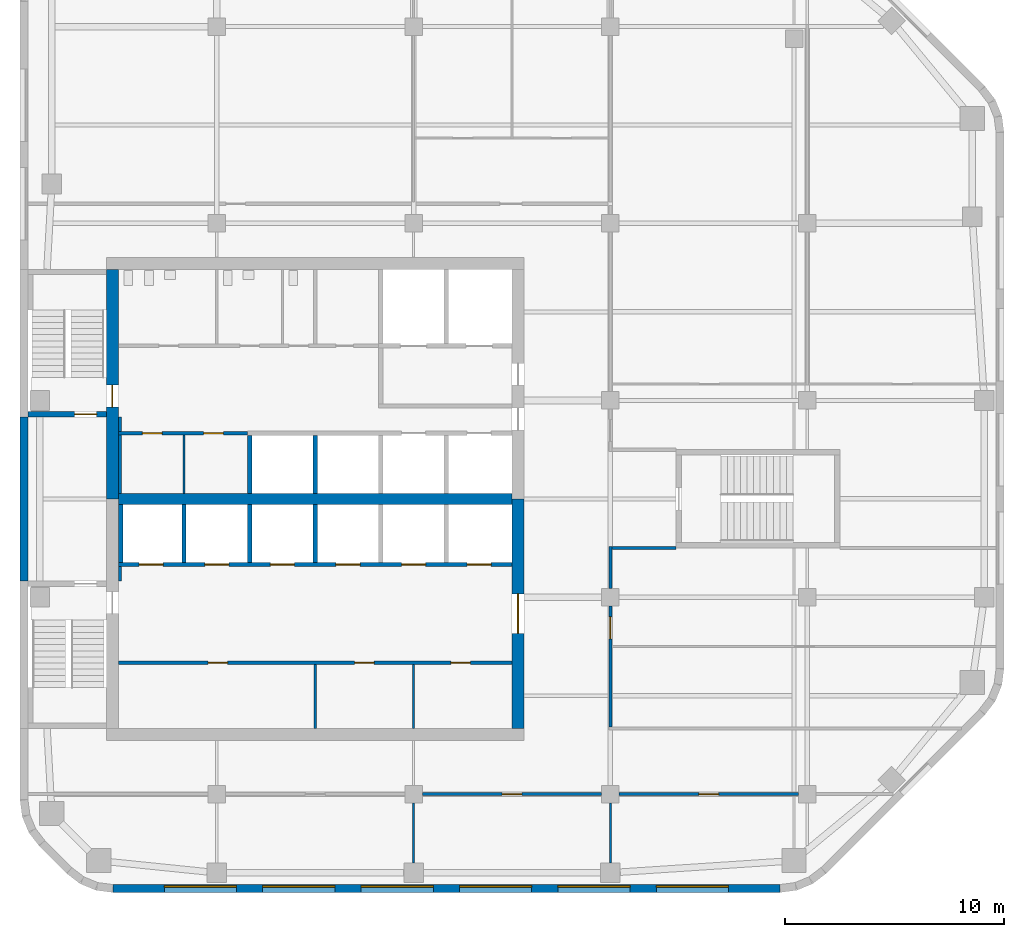
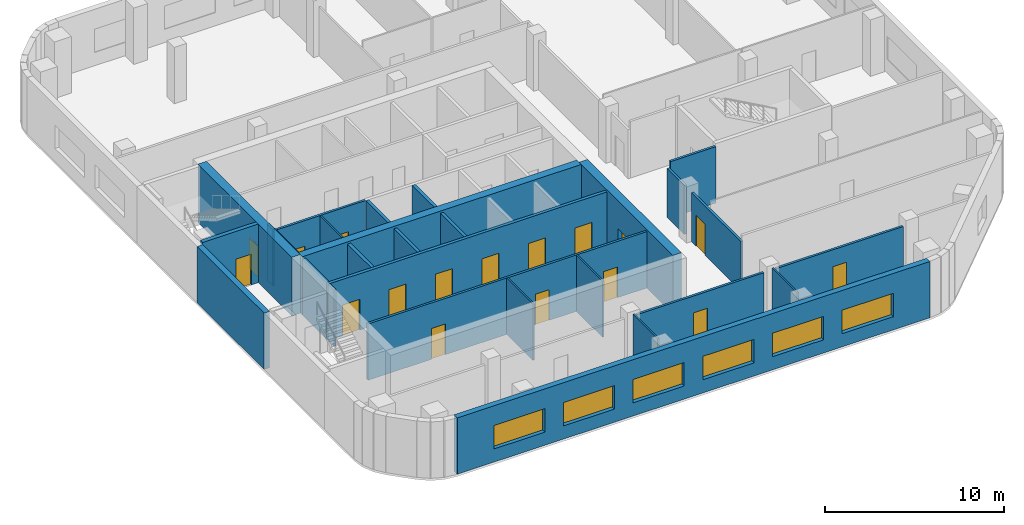
# One storey, part 3 of 8: 28 walls, 17 doors, 6 windows, 23 openings.
"""IFC4 building model written with IfcOpenShell, lengths in metres."""

from ifc_helpers import new_model, si_unit, direction, frame, frame_2d, origin, place, context, subcontext, project, spatial, rectangle, extrude, material, layer, layer_set, type_object, element, fill, save


model = new_model("IFC4")

# Units and contexts
model_context = context("Model", 3, precision=1e-05, world=origin(), true_north=direction((0.0, 1.0)))
body_context = subcontext(model_context, "Body", "Model", "MODEL_VIEW")
ifc_project = project(units=[si_unit("LENGTHUNIT", "METRE"), si_unit("AREAUNIT", "SQUARE_METRE"), si_unit("VOLUMEUNIT", "CUBIC_METRE"), si_unit("PLANEANGLEUNIT", "RADIAN"), si_unit("MASSUNIT", "GRAM", prefix="KILO")], contexts=[model_context])

# Site, building, storey
site_placement = place(None, origin())
site = spatial("IfcSite", under=ifc_project, at=site_placement, CompositionType="ELEMENT")
building_placement = place(site_placement, origin())
building = spatial("IfcBuilding", under=site, at=building_placement, Name="Cinnabar Reach Civic Tower", CompositionType="ELEMENT")
storey_placement = place(building_placement, frame((0.0, 0.0, 206.0)))
storey = spatial("IfcBuildingStorey", under=building, at=storey_placement, Name="L49", CompositionType="ELEMENT", Elevation=206.0)

# Wall, openings, windows
ifc_material_1 = material(Name="Facing brick with insulated backing", Category="masonry")
ifc_layer_1 = layer(ifc_material_1, 0.36)
ifc_layer_set_1 = layer_set([ifc_layer_1], Name="Brick pier and spandrel wall")
wall_type_1 = type_object("IfcWallType", Name="Brick pier and spandrel wall", PredefinedType="STANDARD", material=ifc_layer_set_1)
wall_1_placement = place(storey_placement, frame((4.2426, 13.68, 0.0), z_axis=(0.0, 0.0, 1.0), x_axis=(1.0, 0.0, 0.0)))
wall_1 = element("IfcWall", 1, at=wall_1_placement, inside=storey, type_object=wall_type_1, Name="Brick facade wall", PredefinedType="STANDARD", context=body_context, shape_type="SweptSolid", body=[
    extrude(rectangle(XDim=30.5148, YDim=0.36, at=frame_2d((15.2574, 0.0))), origin(), (0.0, 0.0, 1.0), 3.85),
])
opening_1_placement = place(wall_1_placement, frame((2.3574, 0.0, 0.9)))
opening_1 = element("IfcOpeningElement", 2, at=opening_1_placement, cuts=wall_1, Name="Opening W2000", PredefinedType="OPENING", context=body_context, shape_type="SweptSolid", body=[
    extrude(rectangle(XDim=3.3, YDim=1.6, at=frame_2d((1.65, 0.8))), frame((0.0, 0.19, 0.0), z_axis=(0.0, -1.0, 0.0), x_axis=(1.0, 0.0, 0.0)), (0.0, 0.0, 1.0), 0.38),
])
opening_2_placement = place(wall_1_placement, frame((6.8574, 0.0, 0.9)))
opening_2 = element("IfcOpeningElement", 3, at=opening_2_placement, cuts=wall_1, Name="Opening W2001", PredefinedType="OPENING", context=body_context, shape_type="SweptSolid", body=[
    extrude(rectangle(XDim=3.3, YDim=1.6, at=frame_2d((1.65, 0.8))), frame((0.0, 0.19, 0.0), z_axis=(0.0, -1.0, 0.0), x_axis=(1.0, 0.0, 0.0)), (0.0, 0.0, 1.0), 0.38),
])
opening_3_placement = place(wall_1_placement, frame((11.3574, 0.0, 0.9)))
opening_3 = element("IfcOpeningElement", 4, at=opening_3_placement, cuts=wall_1, Name="Opening W2002", PredefinedType="OPENING", context=body_context, shape_type="SweptSolid", body=[
    extrude(rectangle(XDim=3.3, YDim=1.6, at=frame_2d((1.65, 0.8))), frame((0.0, 0.19, 0.0), z_axis=(0.0, -1.0, 0.0), x_axis=(1.0, 0.0, 0.0)), (0.0, 0.0, 1.0), 0.38),
])
opening_4_placement = place(wall_1_placement, frame((15.8574, 0.0, 0.9)))
opening_4 = element("IfcOpeningElement", 5, at=opening_4_placement, cuts=wall_1, Name="Opening W2003", PredefinedType="OPENING", context=body_context, shape_type="SweptSolid", body=[
    extrude(rectangle(XDim=3.3, YDim=1.6, at=frame_2d((1.65, 0.8))), frame((0.0, 0.19, 0.0), z_axis=(0.0, -1.0, 0.0), x_axis=(1.0, 0.0, 0.0)), (0.0, 0.0, 1.0), 0.38),
])
opening_5_placement = place(wall_1_placement, frame((20.3574, 0.0, 0.9)))
opening_5 = element("IfcOpeningElement", 6, at=opening_5_placement, cuts=wall_1, Name="Opening W2004", PredefinedType="OPENING", context=body_context, shape_type="SweptSolid", body=[
    extrude(rectangle(XDim=3.3, YDim=1.6, at=frame_2d((1.65, 0.8))), frame((0.0, 0.19, 0.0), z_axis=(0.0, -1.0, 0.0), x_axis=(1.0, 0.0, 0.0)), (0.0, 0.0, 1.0), 0.38),
])
opening_6_placement = place(wall_1_placement, frame((24.8574, 0.0, 0.9)))
opening_6 = element("IfcOpeningElement", 7, at=opening_6_placement, cuts=wall_1, Name="Opening W2005", PredefinedType="OPENING", context=body_context, shape_type="SweptSolid", body=[
    extrude(rectangle(XDim=3.3, YDim=1.6, at=frame_2d((1.65, 0.8))), frame((0.0, 0.19, 0.0), z_axis=(0.0, -1.0, 0.0), x_axis=(1.0, 0.0, 0.0)), (0.0, 0.0, 1.0), 0.38),
])
ifc_material_2 = material(Name="Clear double glazing in aluminium frame", Category="aluminium")
window_type = type_object("IfcWindowType", Name="Deep-set window A", PartitioningType="SINGLE_PANEL", PredefinedType="WINDOW", material=ifc_material_2)
window_1_placement = place(opening_1_placement, origin())
window_1 = element("IfcWindow", 8, at=window_1_placement, inside=storey, type_object=window_type, Name="Window south face", OverallHeight=1.6, OverallWidth=3.3, PartitioningType="SINGLE_PANEL", PredefinedType="WINDOW", context=body_context, shape_type="SweptSolid", body=[
    extrude(rectangle(XDim=3.3, YDim=1.6, at=frame_2d((1.65, 0.8))), frame((0.0, 0.13, 0.0), z_axis=(0.0, -1.0, 0.0), x_axis=(1.0, 0.0, 0.0)), (0.0, 0.0, 1.0), 0.06),
])
fill(opening_1, window_1)
window_2_placement = place(opening_2_placement, origin())
window_2 = element("IfcWindow", 9, at=window_2_placement, inside=storey, type_object=window_type, Name="Window south face", OverallHeight=1.6, OverallWidth=3.3, PartitioningType="SINGLE_PANEL", PredefinedType="WINDOW", context=body_context, shape_type="SweptSolid", body=[
    extrude(rectangle(XDim=3.3, YDim=1.6, at=frame_2d((1.65, 0.8))), frame((0.0, 0.13, 0.0), z_axis=(0.0, -1.0, 0.0), x_axis=(1.0, 0.0, 0.0)), (0.0, 0.0, 1.0), 0.06),
])
fill(opening_2, window_2)
window_3_placement = place(opening_3_placement, origin())
window_3 = element("IfcWindow", 10, at=window_3_placement, inside=storey, type_object=window_type, Name="Window south face", OverallHeight=1.6, OverallWidth=3.3, PartitioningType="SINGLE_PANEL", PredefinedType="WINDOW", context=body_context, shape_type="SweptSolid", body=[
    extrude(rectangle(XDim=3.3, YDim=1.6, at=frame_2d((1.65, 0.8))), frame((0.0, 0.13, 0.0), z_axis=(0.0, -1.0, 0.0), x_axis=(1.0, 0.0, 0.0)), (0.0, 0.0, 1.0), 0.06),
])
fill(opening_3, window_3)
window_4_placement = place(opening_4_placement, origin())
window_4 = element("IfcWindow", 11, at=window_4_placement, inside=storey, type_object=window_type, Name="Window south face", OverallHeight=1.6, OverallWidth=3.3, PartitioningType="SINGLE_PANEL", PredefinedType="WINDOW", context=body_context, shape_type="SweptSolid", body=[
    extrude(rectangle(XDim=3.3, YDim=1.6, at=frame_2d((1.65, 0.8))), frame((0.0, 0.13, 0.0), z_axis=(0.0, -1.0, 0.0), x_axis=(1.0, 0.0, 0.0)), (0.0, 0.0, 1.0), 0.06),
])
fill(opening_4, window_4)
window_5_placement = place(opening_5_placement, origin())
window_5 = element("IfcWindow", 12, at=window_5_placement, inside=storey, type_object=window_type, Name="Window south face", OverallHeight=1.6, OverallWidth=3.3, PartitioningType="SINGLE_PANEL", PredefinedType="WINDOW", context=body_context, shape_type="SweptSolid", body=[
    extrude(rectangle(XDim=3.3, YDim=1.6, at=frame_2d((1.65, 0.8))), frame((0.0, 0.13, 0.0), z_axis=(0.0, -1.0, 0.0), x_axis=(1.0, 0.0, 0.0)), (0.0, 0.0, 1.0), 0.06),
])
fill(opening_5, window_5)
window_6_placement = place(opening_6_placement, origin())
window_6 = element("IfcWindow", 13, at=window_6_placement, inside=storey, type_object=window_type, Name="Window south face", OverallHeight=1.6, OverallWidth=3.3, PartitioningType="SINGLE_PANEL", PredefinedType="WINDOW", context=body_context, shape_type="SweptSolid", body=[
    extrude(rectangle(XDim=3.3, YDim=1.6, at=frame_2d((1.65, 0.8))), frame((0.0, 0.13, 0.0), z_axis=(0.0, -1.0, 0.0), x_axis=(1.0, 0.0, 0.0)), (0.0, 0.0, 1.0), 0.06),
])
fill(opening_6, window_6)

# Walls
wall_2_placement = place(storey_placement, frame((0.18, 35.25, 0.0), z_axis=(0.0, 0.0, 1.0), x_axis=(0.0, -1.0, 0.0)))
element("IfcWall", 14, at=wall_2_placement, inside=storey, type_object=wall_type_1, Name="Brick facade wall", PredefinedType="STANDARD", context=body_context, shape_type="SweptSolid", body=[
    extrude(rectangle(XDim=7.5, YDim=0.36, at=frame_2d((3.75, 0.0))), origin(), (0.0, 0.0, 1.0), 3.85),
])
ifc_material_3 = material(Name="Concrete C60", Category="concrete")
ifc_layer_2 = layer(ifc_material_3, 0.5)
ifc_layer_set_2 = layer_set([ifc_layer_2], Name="Core wall 500 EI 180")
wall_type_2 = type_object("IfcWallType", Name="Core wall 500 EI 180", PredefinedType="SOLIDWALL", material=ifc_layer_set_2)
wall_3_placement = place(storey_placement, frame((4.5, 31.5, 0.0), z_axis=(0.0, 0.0, 1.0), x_axis=(1.0, 0.0, 0.0)))
element("IfcWall", 15, at=wall_3_placement, inside=storey, type_object=wall_type_2, Name="Core spine wall T1 L49", PredefinedType="SOLIDWALL", context=body_context, shape_type="SweptSolid", body=[
    extrude(rectangle(XDim=18.0, YDim=0.5, at=frame_2d((9.0, 0.0))), origin(), (0.0, 0.0, 1.0), 4.0),
])

# Wall, opening, door
ifc_layer_3 = layer(ifc_material_3, 0.55)
ifc_layer_set_3 = layer_set([ifc_layer_3], Name="Core wall 550 EI 180")
wall_type_3 = type_object("IfcWallType", Name="Core wall 550 EI 180", PredefinedType="SOLIDWALL", material=ifc_layer_set_3)
wall_4_placement = place(storey_placement, frame((22.775, 21.0, 0.0), z_axis=(0.0, 0.0, 1.0), x_axis=(0.0, 1.0, 0.0)))
wall_4 = element("IfcWall", 16, at=wall_4_placement, inside=storey, type_object=wall_type_3, Name="Core wall T1 L49 E", PredefinedType="SOLIDWALL", context=body_context, shape_type="SweptSolid", body=[
    extrude(rectangle(XDim=10.5, YDim=0.55, at=frame_2d((5.25, 0.0))), origin(), (0.0, 0.0, 1.0), 4.0),
])
opening_7_placement = place(wall_4_placement, frame((4.35, 0.0, 0.0)))
opening_7 = element("IfcOpeningElement", 17, at=opening_7_placement, cuts=wall_4, Name="Opening D5007", PredefinedType="OPENING", context=body_context, shape_type="SweptSolid", body=[
    extrude(rectangle(XDim=1.8, YDim=2.1, at=frame_2d((0.9, 1.05))), frame((0.0, 0.285, 0.0), z_axis=(0.0, -1.0, 0.0), x_axis=(1.0, 0.0, 0.0)), (0.0, 0.0, 1.0), 0.57),
])
ifc_material_4 = material(Name="Timber door leaf in steel frame", Category="steel")
door_type_1 = type_object("IfcDoorType", Name="Double swing door 1800 x 2100 T1", OperationType="DOUBLE_DOOR_DOUBLE_SWING", PredefinedType="DOOR", material=ifc_material_4)
door_1_placement = place(opening_7_placement, origin())
door_1 = element("IfcDoor", 18, at=door_1_placement, inside=storey, type_object=door_type_1, Name="Door D5007", OperationType="DOUBLE_DOOR_DOUBLE_SWING", OverallHeight=2.1, OverallWidth=1.8, PredefinedType="DOOR", context=body_context, shape_type="SweptSolid", body=[
    extrude(rectangle(XDim=1.8, YDim=2.1, at=frame_2d((0.9, 1.05))), frame((0.0, 0.025, 0.0), z_axis=(0.0, -1.0, 0.0), x_axis=(1.0, 0.0, 0.0)), (0.0, 0.0, 1.0), 0.05),
])
fill(opening_7, door_1)

wall_5_placement = place(storey_placement, frame((4.225, 42.0, 0.0), z_axis=(0.0, 0.0, 1.0), x_axis=(0.0, -1.0, 0.0)))
wall_5 = element("IfcWall", 19, at=wall_5_placement, inside=storey, type_object=wall_type_3, Name="Core wall T1 L49 W", PredefinedType="SOLIDWALL", context=body_context, shape_type="SweptSolid", body=[
    extrude(rectangle(XDim=10.5, YDim=0.55, at=frame_2d((5.25, 0.0))), origin(), (0.0, 0.0, 1.0), 4.0),
])
opening_8_placement = place(wall_5_placement, frame((5.3, 0.0, 0.0)))
opening_8 = element("IfcOpeningElement", 20, at=opening_8_placement, cuts=wall_5, Name="Opening D4995", PredefinedType="OPENING", context=body_context, shape_type="SweptSolid", body=[
    extrude(rectangle(XDim=1.0, YDim=2.1, at=frame_2d((0.5, 1.05))), frame((0.0, 0.285, 0.0), z_axis=(0.0, -1.0, 0.0), x_axis=(1.0, 0.0, 0.0)), (0.0, 0.0, 1.0), 0.57),
])
door_type_2 = type_object("IfcDoorType", Name="Stair door 1000 x 2100 T1", OperationType="SINGLE_SWING_LEFT", PredefinedType="DOOR", material=ifc_material_4)
door_2_placement = place(opening_8_placement, frame((1.0, 0.0, 0.0), z_axis=(0.0, 0.0, 1.0), x_axis=(-1.0, 0.0, 0.0)))
door_2 = element("IfcDoor", 21, at=door_2_placement, inside=storey, type_object=door_type_2, Name="Door D4995", OperationType="SINGLE_SWING_LEFT", OverallHeight=2.1, OverallWidth=1.0, PredefinedType="DOOR", context=body_context, shape_type="SweptSolid", body=[
    extrude(rectangle(XDim=1.0, YDim=2.1, at=frame_2d((0.5, 1.05))), frame((0.0, 0.025, 0.0), z_axis=(0.0, -1.0, 0.0), x_axis=(1.0, 0.0, 0.0)), (0.0, 0.0, 1.0), 0.05),
])
fill(opening_8, door_2)

ifc_material_5 = material(Name="Gypsum board on steel studs, double layer", Category="steel")
ifc_layer_4 = layer(ifc_material_5, 0.15)
ifc_layer_set_4 = layer_set([ifc_layer_4], Name="Corridor wall 150 T1")
wall_type_4 = type_object("IfcWallType", Name="Corridor wall 150 T1", PredefinedType="PARTITIONING", material=ifc_layer_set_4)
wall_6_placement = place(storey_placement, frame((27.4, 18.0, 0.0), z_axis=(0.0, 0.0, 1.0), x_axis=(1.0, 0.0, 0.0)))
wall_6 = element("IfcWall", 22, at=wall_6_placement, inside=storey, type_object=wall_type_4, Name="Corridor wall 19", PredefinedType="PARTITIONING", context=body_context, shape_type="SweptSolid", body=[
    extrude(rectangle(XDim=8.2, YDim=0.15, at=frame_2d((4.1, 0.0))), origin(), (0.0, 0.0, 1.0), 3.254),
])
opening_9_placement = place(wall_6_placement, frame((3.65, 0.0, 0.0)))
opening_9 = element("IfcOpeningElement", 23, at=opening_9_placement, cuts=wall_6, Name="Opening D5027", PredefinedType="OPENING", context=body_context, shape_type="SweptSolid", body=[
    extrude(rectangle(XDim=0.9, YDim=2.1, at=frame_2d((0.45, 1.05))), frame((0.0, 0.085, 0.0), z_axis=(0.0, -1.0, 0.0), x_axis=(1.0, 0.0, 0.0)), (0.0, 0.0, 1.0), 0.17),
])
door_type_3 = type_object("IfcDoorType", Name="Single swing door 900 x 2100 corridor T1", OperationType="SINGLE_SWING_LEFT", PredefinedType="DOOR", material=ifc_material_4)
door_3_placement = place(opening_9_placement, frame((0.9, 0.0, 0.0), z_axis=(0.0, 0.0, 1.0), x_axis=(-1.0, 0.0, 0.0)))
door_3 = element("IfcDoor", 24, at=door_3_placement, inside=storey, type_object=door_type_3, Name="Door D5027", OperationType="SINGLE_SWING_RIGHT", OverallHeight=2.1, OverallWidth=0.9, PredefinedType="DOOR", context=body_context, shape_type="SweptSolid", body=[
    extrude(rectangle(XDim=0.9, YDim=2.1, at=frame_2d((0.45, 1.05))), frame((0.0, 0.025, 0.0), z_axis=(0.0, -1.0, 0.0), x_axis=(1.0, 0.0, 0.0)), (0.0, 0.0, 1.0), 0.05),
])
fill(opening_9, door_3)

wall_7_placement = place(storey_placement, frame((18.4, 18.0, 0.0), z_axis=(0.0, 0.0, 1.0), x_axis=(1.0, 0.0, 0.0)))
wall_7 = element("IfcWall", 25, at=wall_7_placement, inside=storey, type_object=wall_type_4, Name="Corridor wall 20", PredefinedType="PARTITIONING", context=body_context, shape_type="SweptSolid", body=[
    extrude(rectangle(XDim=8.2, YDim=0.15, at=frame_2d((4.1, 0.0))), origin(), (0.0, 0.0, 1.0), 3.254),
])
opening_10_placement = place(wall_7_placement, frame((3.65, 0.0, 0.0)))
opening_10 = element("IfcOpeningElement", 26, at=opening_10_placement, cuts=wall_7, Name="Opening D5026", PredefinedType="OPENING", context=body_context, shape_type="SweptSolid", body=[
    extrude(rectangle(XDim=0.9, YDim=2.1, at=frame_2d((0.45, 1.05))), frame((0.0, 0.085, 0.0), z_axis=(0.0, -1.0, 0.0), x_axis=(1.0, 0.0, 0.0)), (0.0, 0.0, 1.0), 0.17),
])
door_4_placement = place(opening_10_placement, frame((0.9, 0.0, 0.0), z_axis=(0.0, 0.0, 1.0), x_axis=(-1.0, 0.0, 0.0)))
door_4 = element("IfcDoor", 27, at=door_4_placement, inside=storey, type_object=door_type_3, Name="Door D5026", OperationType="SINGLE_SWING_RIGHT", OverallHeight=2.1, OverallWidth=0.9, PredefinedType="DOOR", context=body_context, shape_type="SweptSolid", body=[
    extrude(rectangle(XDim=0.9, YDim=2.1, at=frame_2d((0.45, 1.05))), frame((0.0, 0.025, 0.0), z_axis=(0.0, -1.0, 0.0), x_axis=(1.0, 0.0, 0.0)), (0.0, 0.0, 1.0), 0.05),
])
fill(opening_10, door_4)

# Wall, openings, doors
wall_8_placement = place(storey_placement, frame((4.5, 24.0, 0.0), z_axis=(0.0, 0.0, 1.0), x_axis=(1.0, 0.0, 0.0)))
wall_8 = element("IfcWall", 28, at=wall_8_placement, inside=storey, type_object=wall_type_4, Name="Corridor wall 24", PredefinedType="PARTITIONING", context=body_context, shape_type="SweptSolid", body=[
    extrude(rectangle(XDim=18.0, YDim=0.15, at=frame_2d((9.0, 0.0))), origin(), (0.0, 0.0, 1.0), 3.85),
])
opening_11_placement = place(wall_8_placement, frame((4.1, 0.0, 0.0)))
opening_11 = element("IfcOpeningElement", 29, at=opening_11_placement, cuts=wall_8, Name="Opening D5011", PredefinedType="OPENING", context=body_context, shape_type="SweptSolid", body=[
    extrude(rectangle(XDim=0.9, YDim=2.1, at=frame_2d((0.45, 1.05))), frame((0.0, 0.085, 0.0), z_axis=(0.0, -1.0, 0.0), x_axis=(1.0, 0.0, 0.0)), (0.0, 0.0, 1.0), 0.17),
])
opening_12_placement = place(wall_8_placement, frame((10.8, 0.0, 0.0)))
opening_12 = element("IfcOpeningElement", 30, at=opening_12_placement, cuts=wall_8, Name="Opening D5012", PredefinedType="OPENING", context=body_context, shape_type="SweptSolid", body=[
    extrude(rectangle(XDim=0.9, YDim=2.1, at=frame_2d((0.45, 1.05))), frame((0.0, 0.085, 0.0), z_axis=(0.0, -1.0, 0.0), x_axis=(1.0, 0.0, 0.0)), (0.0, 0.0, 1.0), 0.17),
])
opening_13_placement = place(wall_8_placement, frame((15.2, 0.0, 0.0)))
opening_13 = element("IfcOpeningElement", 31, at=opening_13_placement, cuts=wall_8, Name="Opening D5013", PredefinedType="OPENING", context=body_context, shape_type="SweptSolid", body=[
    extrude(rectangle(XDim=0.9, YDim=2.1, at=frame_2d((0.45, 1.05))), frame((0.0, 0.085, 0.0), z_axis=(0.0, -1.0, 0.0), x_axis=(1.0, 0.0, 0.0)), (0.0, 0.0, 1.0), 0.17),
])
door_5_placement = place(opening_11_placement, frame((0.9, 0.0, 0.0), z_axis=(0.0, 0.0, 1.0), x_axis=(-1.0, 0.0, 0.0)))
door_5 = element("IfcDoor", 32, at=door_5_placement, inside=storey, type_object=door_type_3, Name="Door D5011", OperationType="SINGLE_SWING_LEFT", OverallHeight=2.1, OverallWidth=0.9, PredefinedType="DOOR", context=body_context, shape_type="SweptSolid", body=[
    extrude(rectangle(XDim=0.9, YDim=2.1, at=frame_2d((0.45, 1.05))), frame((0.0, 0.025, 0.0), z_axis=(0.0, -1.0, 0.0), x_axis=(1.0, 0.0, 0.0)), (0.0, 0.0, 1.0), 0.05),
])
fill(opening_11, door_5)
door_6_placement = place(opening_12_placement, frame((0.9, 0.0, 0.0), z_axis=(0.0, 0.0, 1.0), x_axis=(-1.0, 0.0, 0.0)))
door_6 = element("IfcDoor", 33, at=door_6_placement, inside=storey, type_object=door_type_3, Name="Door D5012", OperationType="SINGLE_SWING_RIGHT", OverallHeight=2.1, OverallWidth=0.9, PredefinedType="DOOR", context=body_context, shape_type="SweptSolid", body=[
    extrude(rectangle(XDim=0.9, YDim=2.1, at=frame_2d((0.45, 1.05))), frame((0.0, 0.025, 0.0), z_axis=(0.0, -1.0, 0.0), x_axis=(1.0, 0.0, 0.0)), (0.0, 0.0, 1.0), 0.05),
])
fill(opening_12, door_6)
door_7_placement = place(opening_13_placement, frame((0.9, 0.0, 0.0), z_axis=(0.0, 0.0, 1.0), x_axis=(-1.0, 0.0, 0.0)))
door_7 = element("IfcDoor", 34, at=door_7_placement, inside=storey, type_object=door_type_3, Name="Door D5013", OperationType="SINGLE_SWING_RIGHT", OverallHeight=2.1, OverallWidth=0.9, PredefinedType="DOOR", context=body_context, shape_type="SweptSolid", body=[
    extrude(rectangle(XDim=0.9, YDim=2.1, at=frame_2d((0.45, 1.05))), frame((0.0, 0.025, 0.0), z_axis=(0.0, -1.0, 0.0), x_axis=(1.0, 0.0, 0.0)), (0.0, 0.0, 1.0), 0.05),
])
fill(opening_13, door_7)

# Wall, opening, door
wall_9_placement = place(storey_placement, frame((27.0, 21.075, 0.0), z_axis=(0.0, 0.0, 1.0), x_axis=(0.0, 1.0, 0.0)))
wall_9 = element("IfcWall", 35, at=wall_9_placement, inside=storey, type_object=wall_type_4, Name="Corridor wall 30", PredefinedType="PARTITIONING", context=body_context, shape_type="SweptSolid", body=[
    extrude(rectangle(XDim=5.525, YDim=0.15, at=frame_2d((2.7625, 0.0))), origin(), (0.0, 0.0, 1.0), 3.35),
])
opening_14_placement = place(wall_9_placement, frame((4.025, 0.0, 0.0)))
opening_14 = element("IfcOpeningElement", 36, at=opening_14_placement, cuts=wall_9, Name="Opening D5023", PredefinedType="OPENING", context=body_context, shape_type="SweptSolid", body=[
    extrude(rectangle(XDim=1.0, YDim=2.1, at=frame_2d((0.5, 1.05))), frame((0.0, 0.085, 0.0), z_axis=(0.0, -1.0, 0.0), x_axis=(1.0, 0.0, 0.0)), (0.0, 0.0, 1.0), 0.17),
])
door_type_4 = type_object("IfcDoorType", Name="Tenancy entrance door 1000 x 2100 T1", OperationType="SINGLE_SWING_LEFT", PredefinedType="DOOR", material=ifc_material_4)
door_8_placement = place(opening_14_placement, frame((1.0, 0.0, 0.0), z_axis=(0.0, 0.0, 1.0), x_axis=(-1.0, 0.0, 0.0)))
door_8 = element("IfcDoor", 37, at=door_8_placement, inside=storey, type_object=door_type_4, Name="Door D5023", OperationType="SINGLE_SWING_RIGHT", OverallHeight=2.1, OverallWidth=1.0, PredefinedType="DOOR", context=body_context, shape_type="SweptSolid", body=[
    extrude(rectangle(XDim=1.0, YDim=2.1, at=frame_2d((0.5, 1.05))), frame((0.0, 0.025, 0.0), z_axis=(0.0, -1.0, 0.0), x_axis=(1.0, 0.0, 0.0)), (0.0, 0.0, 1.0), 0.05),
])
fill(opening_14, door_8)

# Wall
wall_10_placement = place(storey_placement, frame((27.0, 27.4, 0.0), z_axis=(0.0, 0.0, 1.0), x_axis=(0.0, 1.0, 0.0)))
element("IfcWall", 38, at=wall_10_placement, inside=storey, type_object=wall_type_4, Name="Corridor wall 31", PredefinedType="PARTITIONING", context=body_context, shape_type="SweptSolid", body=[
    extrude(rectangle(XDim=1.925, YDim=0.15, at=frame_2d((0.9625, 0.0))), origin(), (0.0, 0.0, 1.0), 3.35),
])

# Wall, openings, doors
wall_11_placement = place(storey_placement, frame((4.5, 34.5, 0.0), z_axis=(0.0, 0.0, 1.0), x_axis=(1.0, 0.0, 0.0)))
wall_11 = element("IfcWall", 39, at=wall_11_placement, inside=storey, type_object=wall_type_4, Name="Corridor wall 32", PredefinedType="PARTITIONING", context=body_context, shape_type="SweptSolid", body=[
    extrude(rectangle(XDim=5.9, YDim=0.15, at=frame_2d((2.95, 0.0))), origin(), (0.0, 0.0, 1.0), 3.85),
])
opening_15_placement = place(wall_11_placement, frame((1.1, 0.0, 0.0)))
opening_15 = element("IfcOpeningElement", 40, at=opening_15_placement, cuts=wall_11, Name="Opening D5014", PredefinedType="OPENING", context=body_context, shape_type="SweptSolid", body=[
    extrude(rectangle(XDim=0.9, YDim=2.1, at=frame_2d((0.45, 1.05))), frame((0.0, 0.085, 0.0), z_axis=(0.0, -1.0, 0.0), x_axis=(1.0, 0.0, 0.0)), (0.0, 0.0, 1.0), 0.17),
])
opening_16_placement = place(wall_11_placement, frame((3.9, 0.0, 0.0)))
opening_16 = element("IfcOpeningElement", 41, at=opening_16_placement, cuts=wall_11, Name="Opening D5015", PredefinedType="OPENING", context=body_context, shape_type="SweptSolid", body=[
    extrude(rectangle(XDim=0.9, YDim=2.1, at=frame_2d((0.45, 1.05))), frame((0.0, 0.085, 0.0), z_axis=(0.0, -1.0, 0.0), x_axis=(1.0, 0.0, 0.0)), (0.0, 0.0, 1.0), 0.17),
])
door_9_placement = place(opening_15_placement, frame((0.9, 0.0, 0.0), z_axis=(0.0, 0.0, 1.0), x_axis=(-1.0, 0.0, 0.0)))
door_9 = element("IfcDoor", 42, at=door_9_placement, inside=storey, type_object=door_type_3, Name="Door D5014", OperationType="SINGLE_SWING_LEFT", OverallHeight=2.1, OverallWidth=0.9, PredefinedType="DOOR", context=body_context, shape_type="SweptSolid", body=[
    extrude(rectangle(XDim=0.9, YDim=2.1, at=frame_2d((0.45, 1.05))), frame((0.0, 0.025, 0.0), z_axis=(0.0, -1.0, 0.0), x_axis=(1.0, 0.0, 0.0)), (0.0, 0.0, 1.0), 0.05),
])
fill(opening_15, door_9)
door_10_placement = place(opening_16_placement, frame((0.9, 0.0, 0.0), z_axis=(0.0, 0.0, 1.0), x_axis=(-1.0, 0.0, 0.0)))
door_10 = element("IfcDoor", 43, at=door_10_placement, inside=storey, type_object=door_type_3, Name="Door D5015", OperationType="SINGLE_SWING_RIGHT", OverallHeight=2.1, OverallWidth=0.9, PredefinedType="DOOR", context=body_context, shape_type="SweptSolid", body=[
    extrude(rectangle(XDim=0.9, YDim=2.1, at=frame_2d((0.45, 1.05))), frame((0.0, 0.025, 0.0), z_axis=(0.0, -1.0, 0.0), x_axis=(1.0, 0.0, 0.0)), (0.0, 0.0, 1.0), 0.05),
])
fill(opening_16, door_10)

# Walls
wall_12_placement = place(storey_placement, frame((4.575, 34.575, 0.0), z_axis=(0.0, 0.0, 1.0), x_axis=(0.0, 1.0, 0.0)))
element("IfcWall", 44, at=wall_12_placement, inside=storey, type_object=wall_type_4, Name="Corridor wall 33", PredefinedType="PARTITIONING", context=body_context, shape_type="SweptSolid", body=[
    extrude(rectangle(XDim=0.675, YDim=0.15, at=frame_2d((0.3375, 0.0))), origin(), (0.0, 0.0, 1.0), 3.85),
])
wall_13_placement = place(storey_placement, frame((4.575, 31.75, 0.0), z_axis=(0.0, 0.0, 1.0), x_axis=(0.0, 1.0, 0.0)))
element("IfcWall", 45, at=wall_13_placement, inside=storey, type_object=wall_type_4, Name="Corridor wall 34", PredefinedType="PARTITIONING", context=body_context, shape_type="SweptSolid", body=[
    extrude(rectangle(XDim=2.675, YDim=0.15, at=frame_2d((1.3375, 0.0))), origin(), (0.0, 0.0, 1.0), 3.85),
])
wall_14_placement = place(storey_placement, frame((27.075, 29.25, 0.0), z_axis=(0.0, 0.0, 1.0), x_axis=(1.0, 0.0, 0.0)))
element("IfcWall", 46, at=wall_14_placement, inside=storey, type_object=wall_type_4, Name="Corridor wall 35", PredefinedType="PARTITIONING", context=body_context, shape_type="SweptSolid", body=[
    extrude(rectangle(XDim=2.925, YDim=0.15, at=frame_2d((1.4625, 0.0))), origin(), (0.0, 0.0, 1.0), 3.85),
])
wall_15_placement = place(storey_placement, frame((4.575, 27.75, 0.0), z_axis=(0.0, 0.0, 1.0), x_axis=(0.0, 1.0, 0.0)))
element("IfcWall", 47, at=wall_15_placement, inside=storey, type_object=wall_type_4, Name="Corridor wall 37", PredefinedType="PARTITIONING", context=body_context, shape_type="SweptSolid", body=[
    extrude(rectangle(XDim=0.65, YDim=0.15, at=frame_2d((0.325, 0.0))), origin(), (0.0, 0.0, 1.0), 3.85),
])

# Wall, openings, doors
ifc_material_6 = material(Name="Blockwork", Category="masonry")
ifc_layer_5 = layer(ifc_material_6, 0.2)
ifc_layer_set_5 = layer_set([ifc_layer_5], Name="Lift shaft wall 200 T1")
wall_type_5 = type_object("IfcWallType", Name="Lift shaft wall 200 T1", PredefinedType="PARTITIONING", material=ifc_layer_set_5)
wall_16_placement = place(storey_placement, frame((4.5, 28.5, 0.0), z_axis=(0.0, 0.0, 1.0), x_axis=(1.0, 0.0, 0.0)))
wall_16 = element("IfcWall", 48, at=wall_16_placement, inside=storey, type_object=wall_type_5, Name="Lift shaft wall 4", PredefinedType="PARTITIONING", context=body_context, shape_type="SweptSolid", body=[
    extrude(rectangle(XDim=18.0, YDim=0.2, at=frame_2d((9.0, 0.0))), origin(), (0.0, 0.0, 1.0), 3.85),
])
opening_17_placement = place(wall_16_placement, frame((0.95, 0.0, 0.0)))
opening_17 = element("IfcOpeningElement", 49, at=opening_17_placement, cuts=wall_16, Name="Opening D4997", PredefinedType="OPENING", context=body_context, shape_type="SweptSolid", body=[
    extrude(rectangle(XDim=1.1, YDim=2.1, at=frame_2d((0.55, 1.05))), frame((0.0, 0.11, 0.0), z_axis=(0.0, -1.0, 0.0), x_axis=(1.0, 0.0, 0.0)), (0.0, 0.0, 1.0), 0.22),
])
opening_18_placement = place(wall_16_placement, frame((3.95, 0.0, 0.0)))
opening_18 = element("IfcOpeningElement", 50, at=opening_18_placement, cuts=wall_16, Name="Opening D4998", PredefinedType="OPENING", context=body_context, shape_type="SweptSolid", body=[
    extrude(rectangle(XDim=1.1, YDim=2.1, at=frame_2d((0.55, 1.05))), frame((0.0, 0.11, 0.0), z_axis=(0.0, -1.0, 0.0), x_axis=(1.0, 0.0, 0.0)), (0.0, 0.0, 1.0), 0.22),
])
opening_19_placement = place(wall_16_placement, frame((6.95, 0.0, 0.0)))
opening_19 = element("IfcOpeningElement", 51, at=opening_19_placement, cuts=wall_16, Name="Opening D4999", PredefinedType="OPENING", context=body_context, shape_type="SweptSolid", body=[
    extrude(rectangle(XDim=1.1, YDim=2.1, at=frame_2d((0.55, 1.05))), frame((0.0, 0.11, 0.0), z_axis=(0.0, -1.0, 0.0), x_axis=(1.0, 0.0, 0.0)), (0.0, 0.0, 1.0), 0.22),
])
opening_20_placement = place(wall_16_placement, frame((9.95, 0.0, 0.0)))
opening_20 = element("IfcOpeningElement", 52, at=opening_20_placement, cuts=wall_16, Name="Opening D5000", PredefinedType="OPENING", context=body_context, shape_type="SweptSolid", body=[
    extrude(rectangle(XDim=1.1, YDim=2.1, at=frame_2d((0.55, 1.05))), frame((0.0, 0.11, 0.0), z_axis=(0.0, -1.0, 0.0), x_axis=(1.0, 0.0, 0.0)), (0.0, 0.0, 1.0), 0.22),
])
opening_21_placement = place(wall_16_placement, frame((12.95, 0.0, 0.0)))
opening_21 = element("IfcOpeningElement", 53, at=opening_21_placement, cuts=wall_16, Name="Opening D5001", PredefinedType="OPENING", context=body_context, shape_type="SweptSolid", body=[
    extrude(rectangle(XDim=1.1, YDim=2.1, at=frame_2d((0.55, 1.05))), frame((0.0, 0.11, 0.0), z_axis=(0.0, -1.0, 0.0), x_axis=(1.0, 0.0, 0.0)), (0.0, 0.0, 1.0), 0.22),
])
opening_22_placement = place(wall_16_placement, frame((15.95, 0.0, 0.0)))
opening_22 = element("IfcOpeningElement", 54, at=opening_22_placement, cuts=wall_16, Name="Opening D5002", PredefinedType="OPENING", context=body_context, shape_type="SweptSolid", body=[
    extrude(rectangle(XDim=1.1, YDim=2.1, at=frame_2d((0.55, 1.05))), frame((0.0, 0.11, 0.0), z_axis=(0.0, -1.0, 0.0), x_axis=(1.0, 0.0, 0.0)), (0.0, 0.0, 1.0), 0.22),
])
ifc_material_7 = material(Name="Stainless steel sliding door", Category="steel")
door_type_5 = type_object("IfcDoorType", Name="Lift landing door 1100 x 2100 T1", OperationType="SLIDING_TO_LEFT", PredefinedType="DOOR", material=ifc_material_7)
door_11_placement = place(opening_17_placement, origin())
door_11 = element("IfcDoor", 55, at=door_11_placement, inside=storey, type_object=door_type_5, Name="Lift landing door HR1 L49", OperationType="SLIDING_TO_LEFT", OverallHeight=2.1, OverallWidth=1.1, PredefinedType="DOOR", context=body_context, shape_type="SweptSolid", body=[
    extrude(rectangle(XDim=1.1, YDim=2.1, at=frame_2d((0.55, 1.05))), frame((0.0, 0.025, 0.0), z_axis=(0.0, -1.0, 0.0), x_axis=(1.0, 0.0, 0.0)), (0.0, 0.0, 1.0), 0.05),
])
fill(opening_17, door_11)
door_12_placement = place(opening_18_placement, origin())
door_12 = element("IfcDoor", 56, at=door_12_placement, inside=storey, type_object=door_type_5, Name="Lift landing door HR2 L49", OperationType="SLIDING_TO_LEFT", OverallHeight=2.1, OverallWidth=1.1, PredefinedType="DOOR", context=body_context, shape_type="SweptSolid", body=[
    extrude(rectangle(XDim=1.1, YDim=2.1, at=frame_2d((0.55, 1.05))), frame((0.0, 0.025, 0.0), z_axis=(0.0, -1.0, 0.0), x_axis=(1.0, 0.0, 0.0)), (0.0, 0.0, 1.0), 0.05),
])
fill(opening_18, door_12)
door_13_placement = place(opening_19_placement, origin())
door_13 = element("IfcDoor", 57, at=door_13_placement, inside=storey, type_object=door_type_5, Name="Lift landing door HR3 L49", OperationType="SLIDING_TO_LEFT", OverallHeight=2.1, OverallWidth=1.1, PredefinedType="DOOR", context=body_context, shape_type="SweptSolid", body=[
    extrude(rectangle(XDim=1.1, YDim=2.1, at=frame_2d((0.55, 1.05))), frame((0.0, 0.025, 0.0), z_axis=(0.0, -1.0, 0.0), x_axis=(1.0, 0.0, 0.0)), (0.0, 0.0, 1.0), 0.05),
])
fill(opening_19, door_13)
door_14_placement = place(opening_20_placement, origin())
door_14 = element("IfcDoor", 58, at=door_14_placement, inside=storey, type_object=door_type_5, Name="Lift landing door HR4 L49", OperationType="SLIDING_TO_LEFT", OverallHeight=2.1, OverallWidth=1.1, PredefinedType="DOOR", context=body_context, shape_type="SweptSolid", body=[
    extrude(rectangle(XDim=1.1, YDim=2.1, at=frame_2d((0.55, 1.05))), frame((0.0, 0.025, 0.0), z_axis=(0.0, -1.0, 0.0), x_axis=(1.0, 0.0, 0.0)), (0.0, 0.0, 1.0), 0.05),
])
fill(opening_20, door_14)
door_15_placement = place(opening_21_placement, origin())
door_15 = element("IfcDoor", 59, at=door_15_placement, inside=storey, type_object=door_type_5, Name="Lift landing door HR5 L49", OperationType="SLIDING_TO_LEFT", OverallHeight=2.1, OverallWidth=1.1, PredefinedType="DOOR", context=body_context, shape_type="SweptSolid", body=[
    extrude(rectangle(XDim=1.1, YDim=2.1, at=frame_2d((0.55, 1.05))), frame((0.0, 0.025, 0.0), z_axis=(0.0, -1.0, 0.0), x_axis=(1.0, 0.0, 0.0)), (0.0, 0.0, 1.0), 0.05),
])
fill(opening_21, door_15)
door_16_placement = place(opening_22_placement, origin())
door_16 = element("IfcDoor", 60, at=door_16_placement, inside=storey, type_object=door_type_5, Name="Lift landing door HR6 L49", OperationType="SLIDING_TO_LEFT", OverallHeight=2.1, OverallWidth=1.1, PredefinedType="DOOR", context=body_context, shape_type="SweptSolid", body=[
    extrude(rectangle(XDim=1.1, YDim=2.1, at=frame_2d((0.55, 1.05))), frame((0.0, 0.025, 0.0), z_axis=(0.0, -1.0, 0.0), x_axis=(1.0, 0.0, 0.0)), (0.0, 0.0, 1.0), 0.05),
])
fill(opening_22, door_16)

# Walls
for number, where, z_axis, x_axis, name in (
    (61, (10.5, 28.6, 0.0), (0.0, 0.0, 1.0), (0.0, 1.0, 0.0), "Lift shaft wall 6"),
    (62, (10.5, 31.75, 0.0), (0.0, 0.0, 1.0), (0.0, 1.0, 0.0), "Lift shaft wall 7"),
    (63, (13.5, 28.6, 0.0), (0.0, 0.0, 1.0), (0.0, 1.0, 0.0), "Lift shaft wall 8"),
    (64, (13.5, 31.75, 0.0), (0.0, 0.0, 1.0), (0.0, 1.0, 0.0), "Lift shaft wall 9"),
    (65, (4.6, 28.6, 0.0), (0.0, 0.0, 1.0), (0.0, 1.0, 0.0), "Lift shaft wall 16"),
    (66, (7.5, 28.6, 0.0), (0.0, 0.0, 1.0), (0.0, 1.0, 0.0), "Lift shaft wall 17"),
):
    element("IfcWall", number, at=place(storey_placement, frame(where, z_axis=z_axis, x_axis=x_axis)), inside=storey, type_object=wall_type_5, Name=name, PredefinedType="PARTITIONING", context=body_context, shape_type="SweptSolid", body=[
        extrude(rectangle(XDim=2.65, YDim=0.2, at=frame_2d((1.325, 0.0))), origin(), (0.0, 0.0, 1.0), 3.85),
    ])
ifc_material_8 = material(Name="Gypsum board on steel studs", Category="steel")
ifc_layer_6 = layer(ifc_material_8, 0.1)
ifc_layer_set_6 = layer_set([ifc_layer_6], Name="Partition wall 100 T1")
wall_type_6 = type_object("IfcWallType", Name="Partition wall 100 T1", PredefinedType="PARTITIONING", material=ifc_layer_set_6)
for number, where, z_axis, x_axis, name in (
    (67, (18.0, 14.85, 0.0), (0.0, 0.0, 1.0), (0.0, 1.0, 0.0), "Partition wall 52"),
    (68, (27.0, 14.85, 0.0), (0.0, 0.0, 1.0), (0.0, 1.0, 0.0), "Partition wall 53"),
):
    element("IfcWall", number, at=place(storey_placement, frame(where, z_axis=z_axis, x_axis=x_axis)), inside=storey, type_object=wall_type_6, Name=name, PredefinedType="PARTITIONING", context=body_context, shape_type="SweptSolid", body=[
        extrude(rectangle(XDim=2.75, YDim=0.1, at=frame_2d((1.375, 0.0))), origin(), (0.0, 0.0, 1.0), 3.652),
    ])
wall_17_placement = place(storey_placement, frame((7.5, 31.75, 0.0), z_axis=(0.0, 0.0, 1.0), x_axis=(0.0, 1.0, 0.0)))
element("IfcWall", 69, at=wall_17_placement, inside=storey, type_object=wall_type_6, Name="Partition wall 56", PredefinedType="PARTITIONING", context=body_context, shape_type="SweptSolid", body=[
    extrude(rectangle(XDim=2.675, YDim=0.1, at=frame_2d((1.3375, 0.0))), origin(), (0.0, 0.0, 1.0), 3.85),
])
for number, where, z_axis, x_axis, name in (
    (70, (13.5, 21.0, 0.0), (0.0, 0.0, 1.0), (0.0, 1.0, 0.0), "Partition wall 57"),
    (71, (18.0, 21.0, 0.0), (0.0, 0.0, 1.0), (0.0, 1.0, 0.0), "Partition wall 58"),
):
    element("IfcWall", number, at=place(storey_placement, frame(where, z_axis=z_axis, x_axis=x_axis)), inside=storey, type_object=wall_type_6, Name=name, PredefinedType="PARTITIONING", context=body_context, shape_type="SweptSolid", body=[
        extrude(rectangle(XDim=2.925, YDim=0.1, at=frame_2d((1.4625, 0.0))), origin(), (0.0, 0.0, 1.0), 3.85),
    ])

# Wall, opening, door
ifc_layer_7 = layer(ifc_material_3, 0.25)
ifc_layer_set_7 = layer_set([ifc_layer_7], Name="Stair shaft wall 250 EI 120")
wall_type_7 = type_object("IfcWallType", Name="Stair shaft wall 250 EI 120", PredefinedType="SOLIDWALL", material=ifc_layer_set_7)
wall_18_placement = place(storey_placement, frame((0.36, 35.375, 0.0), z_axis=(0.0, 0.0, 1.0), x_axis=(1.0, 0.0, 0.0)))
wall_18 = element("IfcWall", 72, at=wall_18_placement, inside=storey, type_object=wall_type_7, Name="Stair shaft wall T1-S2 L49", PredefinedType="SOLIDWALL", context=body_context, shape_type="SweptSolid", body=[
    extrude(rectangle(XDim=3.59, YDim=0.25, at=frame_2d((1.795, 0.0))), origin(), (0.0, 0.0, 1.0), 4.0),
])
opening_23_placement = place(wall_18_placement, frame((2.14, 0.0, 0.0)))
opening_23 = element("IfcOpeningElement", 73, at=opening_23_placement, cuts=wall_18, Name="Opening D4996", PredefinedType="OPENING", context=body_context, shape_type="SweptSolid", body=[
    extrude(rectangle(XDim=1.0, YDim=2.1, at=frame_2d((0.5, 1.05))), frame((0.0, 0.135, 0.0), z_axis=(0.0, -1.0, 0.0), x_axis=(1.0, 0.0, 0.0)), (0.0, 0.0, 1.0), 0.27),
])
door_17_placement = place(opening_23_placement, origin())
door_17 = element("IfcDoor", 74, at=door_17_placement, inside=storey, type_object=door_type_2, Name="Door D4996", OperationType="SINGLE_SWING_RIGHT", OverallHeight=2.1, OverallWidth=1.0, PredefinedType="DOOR", context=body_context, shape_type="SweptSolid", body=[
    extrude(rectangle(XDim=1.0, YDim=2.1, at=frame_2d((0.5, 1.05))), frame((0.0, 0.025, 0.0), z_axis=(0.0, -1.0, 0.0), x_axis=(1.0, 0.0, 0.0)), (0.0, 0.0, 1.0), 0.05),
])
fill(opening_23, door_17)

save(model, "model.ifc")
